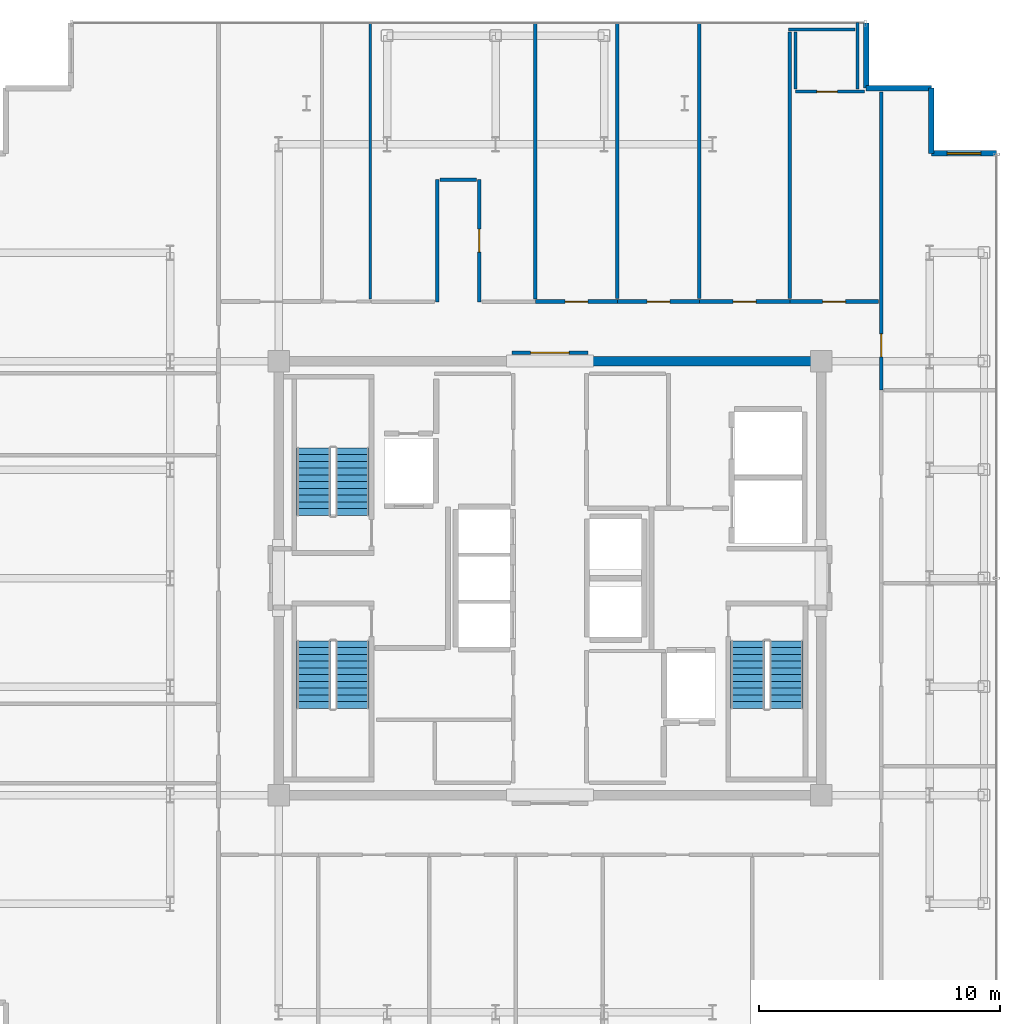
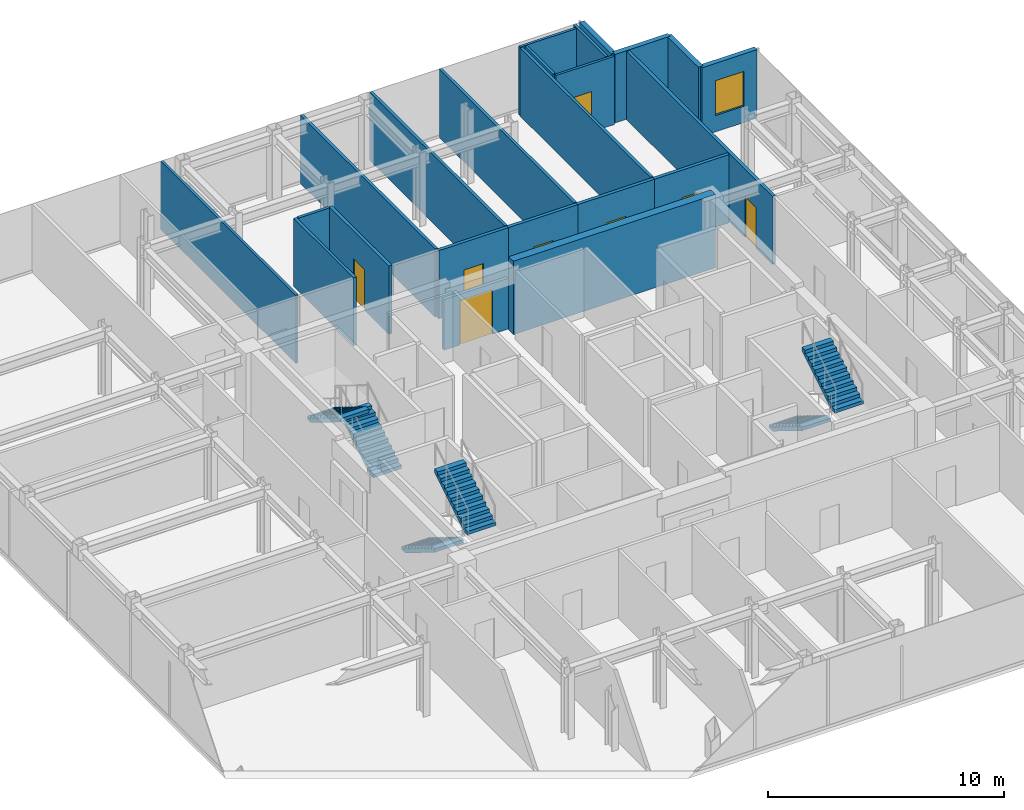
# One storey, part 16 of 17: 23 walls, 8 doors, 6 stair flights, 1 window, 9 openings, 3 elements without a shape of their own.
"""IFC4 building model written with IfcOpenShell, lengths in metres."""

from ifc_helpers import new_model, si_unit, direction, frame, frame_2d, origin, place, context, subcontext, project, spatial, polyline, rectangle, outline, extrude, source, transform, mapped, material, layer, layer_set, type_object, element, fill, aggregate, save


model = new_model("IFC4")

# Units and contexts
model_context = context("Model", 3, precision=1e-05, world=origin(), true_north=direction((0.0, 1.0)))
body_context = subcontext(model_context, "Body", "Model", "MODEL_VIEW")
ifc_project = project(units=[si_unit("LENGTHUNIT", "METRE"), si_unit("AREAUNIT", "SQUARE_METRE"), si_unit("VOLUMEUNIT", "CUBIC_METRE"), si_unit("PLANEANGLEUNIT", "RADIAN"), si_unit("MASSUNIT", "GRAM", prefix="KILO")], contexts=[model_context])

# Site, building, storey
site_placement = place(None, origin())
site = spatial("IfcSite", under=ifc_project, at=site_placement, CompositionType="ELEMENT")
building_placement = place(site_placement, origin())
building = spatial("IfcBuilding", under=site, at=building_placement, Name="Nefas-Gora Pilgrimage Tower", CompositionType="ELEMENT")
storey_placement = place(building_placement, frame((0.0, 0.0, 341.39990234375)))
storey = spatial("IfcBuildingStorey", under=building, at=storey_placement, Name="L86", CompositionType="ELEMENT", Elevation=341.39990234375)

# Wall
ifc_material_1 = material(Name="Concrete C50/60", Category="concrete")
ifc_layer_1 = layer(ifc_material_1, 0.39990234375)
ifc_layer_set_1 = layer_set([ifc_layer_1], Name="Concrete C50/60")
wall_type_1 = type_object("IfcWallType", Name="SW-CORE-400", PredefinedType="SHEAR", material=ifc_layer_set_1)
shared_shape_1 = source(origin(), body_context, "Body", "SweptSolid", [
    extrude(rectangle(XDim=9.89990234375, YDim=0.39990234375, at=frame_2d((4.949951171875, 0.0))), origin(), (0.0, 0.0, 1.0), 3.800048828125),
])
wall_1_placement = place(storey_placement, frame((1.550048828125, 9.0, 0.0), z_axis=(0.0, 0.0, 1.0), x_axis=(1.0, 0.0, 0.0)))
element("IfcWall", 1, at=wall_1_placement, inside=storey, type_object=wall_type_1, Name="L86 Core Shear Wall N-East", PredefinedType="SHEAR", context=body_context, shape_type="MappedRepresentation", body=[
    mapped(shared_shape_1, transform((0.0, 0.0, 0.0), x_axis=(1.0, 0.0, 0.0), y_axis=(0.0, 1.0, 0.0), z_axis=(0.0, 0.0, 1.0), scale=1.0)),
])

# Wall, opening, window
ifc_material_2 = material(Name="Precast concrete C45/55", Category="concrete")
ifc_layer_2 = layer(ifc_material_2, 0.239990234375)
ifc_layer_set_2 = layer_set([ifc_layer_2], Name="Precast concrete C45/55")
wall_type_2 = type_object("IfcWallType", Name="EW-SERR-240", PredefinedType="SHEAR", material=ifc_layer_set_2)
shared_shape_2 = source(origin(), body_context, "Body", "SweptSolid", [
    extrude(rectangle(XDim=2.699951171875, YDim=0.239990234375, at=frame_2d((1.35009765625, 0.0))), origin(), (0.0, 0.0, 1.0), 3.550048828125),
])
wall_2_placement = place(storey_placement, frame((18.52001953125, 17.6201171875, 0.0), z_axis=(0.0, 0.0, 1.0), x_axis=(-1.0, 0.0, 0.0)))
wall_2 = element("IfcWall", 2, at=wall_2_placement, inside=storey, type_object=wall_type_2, Name="L86 Serrated Corner Shear Pier Wall 1", PredefinedType="SHEAR", context=body_context, shape_type="MappedRepresentation", body=[
    mapped(shared_shape_2, transform((0.0, 0.0, 0.0), x_axis=(1.0, 0.0, 0.0), y_axis=(0.0, 1.0, 0.0), z_axis=(0.0, 0.0, 1.0), scale=1.0)),
])
opening_1_placement = place(wall_2_placement, frame((0.64990234375, 0.0, 0.85009765625)))
opening_1 = element("IfcOpeningElement", 3, at=opening_1_placement, cuts=wall_2, Name="Opening W-V2", PredefinedType="OPENING", context=body_context, shape_type="SweptSolid", body=[
    extrude(rectangle(XDim=1.39990234375, YDim=1.800048828125, at=frame_2d((0.699951171875, 0.89990234375))), frame((0.0, 0.1298828125, 0.0), z_axis=(0.0, -1.0, 0.0), x_axis=(1.0, 0.0, 0.0)), (0.0, 0.0, 1.0), 0.260009765625),
])
ifc_material_3 = material(Name="Dark ceramic-fritted operable aluminium-glass window", Category="aluminium")
window_type = type_object("IfcWindowType", Name="WIN-VENT-1400x1800", PartitioningType="SINGLE_PANEL", PredefinedType="WINDOW", material=ifc_material_3)
shared_shape_3 = source(origin(), body_context, "Body", "SweptSolid", [
    extrude(rectangle(XDim=1.39990234375, YDim=1.800048828125, at=frame_2d((0.699951171875, 0.89990234375))), frame((0.0, 0.030029296875, 0.0), z_axis=(0.0, -1.0, 0.0), x_axis=(1.0, 0.0, 0.0)), (0.0, 0.0, 1.0), 0.06005859375),
])
window_placement = place(opening_1_placement, origin())
window = element("IfcWindow", 4, at=window_placement, inside=storey, type_object=window_type, Name="L86 Operable Parallel-Outswing Window 1", OverallHeight=1.800048828125, OverallWidth=1.39990234375, PartitioningType="SINGLE_PANEL", PredefinedType="WINDOW", context=body_context, shape_type="MappedRepresentation", body=[
    mapped(shared_shape_3, transform((0.0, 0.0, 0.0), x_axis=(1.0, 0.0, 0.0), y_axis=(0.0, 1.0, 0.0), z_axis=(0.0, 0.0, 1.0), scale=1.0)),
])
fill(opening_1, window)

# Walls
for number, where, z_axis, x_axis, name in (
    (5, (15.820068359375, 17.6201171875, 0.0), (0.0, 0.0, 1.0), (0.0, 1.0, 0.0), "L86 Serrated Corner Shear Pier Wall 2"),
    (6, (15.820068359375, 20.320068359375, 0.0), (0.0, 0.0, 1.0), (-1.0, 0.0, 0.0), "L86 Serrated Corner Shear Pier Wall 3"),
    (7, (13.1201171875, 20.320068359375, 0.0), (0.0, 0.0, 1.0), (0.0, 1.0, 0.0), "L86 Serrated Corner Shear Pier Wall 4"),
):
    element("IfcWall", number, at=place(storey_placement, frame(where, z_axis=z_axis, x_axis=x_axis)), inside=storey, type_object=wall_type_2, Name=name, PredefinedType="SHEAR", context=body_context, shape_type="MappedRepresentation", body=[
        mapped(shared_shape_2, transform((0.0, 0.0, 0.0), x_axis=(1.0, 0.0, 0.0), y_axis=(0.0, 1.0, 0.0), z_axis=(0.0, 0.0, 1.0), scale=1.0)),
    ])

# Wall, opening, door
ifc_material_4 = material(Name="Gypsum acoustic stud partition")
ifc_layer_3 = layer(ifc_material_4, 0.159912109375)
ifc_layer_set_3 = layer_set([ifc_layer_3], Name="Gypsum acoustic stud partition")
wall_type_3 = type_object("IfcWallType", Name="IW-CORR-160", PredefinedType="PARTITIONING", material=ifc_layer_set_3)
shared_shape_4 = source(origin(), body_context, "Body", "SweptSolid", [
    extrude(rectangle(XDim=3.764892578125, YDim=0.159912109375, at=frame_2d((1.88232421875, 0.0))), origin(), (0.0, 0.0, 1.0), 3.53515625),
])
wall_3_placement = place(storey_placement, frame((6.195068359375, 11.469970703125, 0.0), z_axis=(0.0, 0.0, 1.0), x_axis=(1.0, 0.0, 0.0)))
wall_3 = element("IfcWall", 8, at=wall_3_placement, inside=storey, type_object=wall_type_3, Name="L86 Pilgrim Contemplative Lounge Partition Wall 64", PredefinedType="PARTITIONING", context=body_context, shape_type="MappedRepresentation", body=[
    mapped(shared_shape_4, transform((0.0, 0.0, 0.0), x_axis=(1.0, 0.0, 0.0), y_axis=(0.0, 1.0, 0.0), z_axis=(0.0, 0.0, 1.0), scale=1.0)),
])
opening_2_placement = place(wall_3_placement, frame((1.407470703125, 0.0, 0.0)))
opening_2 = element("IfcOpeningElement", 9, at=opening_2_placement, cuts=wall_3, Name="Opening ID-GR1", PredefinedType="OPENING", context=body_context, shape_type="SweptSolid", body=[
    extrude(rectangle(XDim=0.949951171875, YDim=2.10009765625, at=frame_2d((0.47509765625, 1.050048828125))), frame((0.0, 0.08984375, 0.0), z_axis=(0.0, -1.0, 0.0), x_axis=(1.0, 0.0, 0.0)), (0.0, 0.0, 1.0), 0.179931640625),
])
ifc_material_5 = material(Name="Solid core oak fire-rated guest entrance door")
door_type_1 = type_object("IfcDoorType", Name="DR-INT-GUEST-950", OperationType="NOTDEFINED", PredefinedType="DOOR", material=ifc_material_5)
shared_shape_5 = source(origin(), body_context, "Body", "SweptSolid", [
    extrude(rectangle(XDim=0.949951171875, YDim=2.10009765625, at=frame_2d((0.47509765625, 1.050048828125))), frame((0.0, 0.02490234375, 0.0), z_axis=(0.0, -1.0, 0.0), x_axis=(1.0, 0.0, 0.0)), (0.0, 0.0, 1.0), 0.050048828125),
])
door_1_placement = place(opening_2_placement, origin())
door_1 = element("IfcDoor", 10, at=door_1_placement, inside=storey, type_object=door_type_1, Name="L86 Pilgrim Contemplative Lounge Door 28", OperationType="SINGLE_SWING_RIGHT", OverallHeight=2.10009765625, OverallWidth=0.949951171875, PredefinedType="DOOR", context=body_context, shape_type="MappedRepresentation", body=[
    mapped(shared_shape_5, transform((0.0, 0.0, 0.0), x_axis=(1.0, 0.0, 0.0), y_axis=(0.0, 1.0, 0.0), z_axis=(0.0, 0.0, 1.0), scale=1.0)),
])
fill(opening_2, door_1)

shared_shape_6 = source(origin(), body_context, "Body", "SweptSolid", [
    extrude(rectangle(XDim=3.66015625, YDim=0.159912109375, at=frame_2d((1.830078125, 0.0))), origin(), (0.0, 0.0, 1.0), 3.53515625),
])
wall_4_placement = place(storey_placement, frame((9.9599609375, 11.469970703125, 0.0), z_axis=(0.0, 0.0, 1.0), x_axis=(1.0, 0.0, 0.0)))
wall_4 = element("IfcWall", 11, at=wall_4_placement, inside=storey, type_object=wall_type_3, Name="L86 Pilgrim Sanctuary Suite Partition Wall 66", PredefinedType="PARTITIONING", context=body_context, shape_type="MappedRepresentation", body=[
    mapped(shared_shape_6, transform((0.0, 0.0, 0.0), x_axis=(1.0, 0.0, 0.0), y_axis=(0.0, 1.0, 0.0), z_axis=(0.0, 0.0, 1.0), scale=1.0)),
])
opening_3_placement = place(wall_4_placement, frame((1.35498046875, 0.0, 0.0)))
opening_3 = element("IfcOpeningElement", 12, at=opening_3_placement, cuts=wall_4, Name="Opening ID-GR1", PredefinedType="OPENING", context=body_context, shape_type="SweptSolid", body=[
    extrude(rectangle(XDim=0.949951171875, YDim=2.10009765625, at=frame_2d((0.47509765625, 1.050048828125))), frame((0.0, 0.08984375, 0.0), z_axis=(0.0, -1.0, 0.0), x_axis=(1.0, 0.0, 0.0)), (0.0, 0.0, 1.0), 0.179931640625),
])
door_2_placement = place(opening_3_placement, origin())
door_2 = element("IfcDoor", 13, at=door_2_placement, inside=storey, type_object=door_type_1, Name="L86 Pilgrim Sanctuary Suite Door 29", OperationType="SINGLE_SWING_LEFT", OverallHeight=2.10009765625, OverallWidth=0.949951171875, PredefinedType="DOOR", context=body_context, shape_type="MappedRepresentation", body=[
    mapped(shared_shape_5, transform((0.0, 0.0, 0.0), x_axis=(1.0, 0.0, 0.0), y_axis=(0.0, 1.0, 0.0), z_axis=(0.0, 0.0, 1.0), scale=1.0)),
])
fill(opening_3, door_2)

shared_shape_7 = source(origin(), body_context, "Body", "SweptSolid", [
    extrude(rectangle(XDim=3.16015625, YDim=0.159912109375, at=frame_2d((1.580078125, 0.0))), origin(), (0.0, 0.0, 1.0), 2.625),
])
wall_5_placement = place(storey_placement, frame((-1.580078125, 9.35009765625, 0.0), z_axis=(0.0, 0.0, 1.0), x_axis=(1.0, 0.0, 0.0)))
wall_5 = element("IfcWall", 14, at=wall_5_placement, inside=storey, type_object=wall_type_3, Name="L86 Central Lift Lobby North Portal Wall 16", PredefinedType="PARTITIONING", context=body_context, shape_type="MappedRepresentation", body=[
    mapped(shared_shape_7, transform((0.0, 0.0, 0.0), x_axis=(1.0, 0.0, 0.0), y_axis=(0.0, 1.0, 0.0), z_axis=(0.0, 0.0, 1.0), scale=1.0)),
])
opening_4_placement = place(wall_5_placement, frame((0.780029296875, 0.0, 0.0)))
opening_4 = element("IfcOpeningElement", 15, at=opening_4_placement, cuts=wall_5, Name="Opening ID-HL1", PredefinedType="OPENING", context=body_context, shape_type="SweptSolid", body=[
    extrude(rectangle(XDim=1.60009765625, YDim=2.300048828125, at=frame_2d((0.800048828125, 1.14990234375))), frame((0.0, 0.08984375, 0.0), z_axis=(0.0, -1.0, 0.0), x_axis=(1.0, 0.0, 0.0)), (0.0, 0.0, 1.0), 0.179931640625),
])
ifc_material_6 = material(Name="Double acoustic timber assembly hall door", Category="wood")
door_type_2 = type_object("IfcDoorType", Name="DR-INT-HALL-1600", OperationType="DOUBLE_DOOR_SINGLE_SWING", PredefinedType="DOOR", material=ifc_material_6)
shared_shape_8 = source(origin(), body_context, "Body", "SweptSolid", [
    extrude(rectangle(XDim=1.60009765625, YDim=2.300048828125, at=frame_2d((0.800048828125, 1.14990234375))), frame((0.0, 0.02490234375, 0.0), z_axis=(0.0, -1.0, 0.0), x_axis=(1.0, 0.0, 0.0)), (0.0, 0.0, 1.0), 0.050048828125),
])
door_3_placement = place(opening_4_placement, origin())
door_3 = element("IfcDoor", 16, at=door_3_placement, inside=storey, type_object=door_type_2, Name="L86 Central Lift Lobby North Portal Door 6", OperationType="DOUBLE_DOOR_SINGLE_SWING", OverallHeight=2.300048828125, OverallWidth=1.60009765625, PredefinedType="DOOR", context=body_context, shape_type="MappedRepresentation", body=[
    mapped(shared_shape_8, transform((0.0, 0.0, 0.0), x_axis=(1.0, 0.0, 0.0), y_axis=(0.0, 1.0, 0.0), z_axis=(0.0, 0.0, 1.0), scale=1.0)),
])
fill(opening_4, door_3)

# Walls
ifc_material_7 = material(Name="Gypsum twin-stud partition")
ifc_layer_4 = layer(ifc_material_7, 0.139892578125)
ifc_layer_set_4 = layer_set([ifc_layer_4], Name="Gypsum twin-stud partition")
wall_type_4 = type_object("IfcWallType", Name="IW-UNIT-140", PredefinedType="PARTITIONING", material=ifc_layer_set_4)
shared_shape_9 = source(origin(), body_context, "Body", "SweptSolid", [
    extrude(rectangle(XDim=11.449951171875, YDim=0.139892578125, at=frame_2d((5.72509765625, 0.0))), origin(), (0.0, 0.0, 1.0), 3.53515625),
])
for number, where, z_axis, x_axis, name in (
    (17, (2.79248046875, 11.590087890625, 0.0), (0.0, 0.0, 1.0), (0.0, 1.0, 0.0), "L86 Pilgrim Contemplative Lounge Partition Wall 61"),
    (18, (6.195068359375, 11.590087890625, 0.0), (0.0, 0.0, 1.0), (0.0, 1.0, 0.0), "L86 Pilgrim Contemplative Lounge Partition Wall 63"),
):
    element("IfcWall", number, at=place(storey_placement, frame(where, z_axis=z_axis, x_axis=x_axis)), inside=storey, type_object=wall_type_4, Name=name, PredefinedType="PARTITIONING", context=body_context, shape_type="MappedRepresentation", body=[
        mapped(shared_shape_9, transform((0.0, 0.0, 0.0), x_axis=(1.0, 0.0, 0.0), y_axis=(0.0, 1.0, 0.0), z_axis=(0.0, 0.0, 1.0), scale=1.0)),
    ])
ifc_material_8 = material(Name="Moisture-resistant fire-rated gypsum partition")
ifc_layer_5 = layer(ifc_material_8, 0.1201171875)
ifc_layer_set_5 = layer_set([ifc_layer_5], Name="Moisture-resistant fire-rated gypsum partition")
wall_type_5 = type_object("IfcWallType", Name="IW-WET-120", PredefinedType="PLUMBINGWALL", material=ifc_layer_set_5)
shared_shape_10 = source(origin(), body_context, "Body", "SweptSolid", [
    extrude(rectangle(XDim=2.760009765625, YDim=0.1201171875, at=frame_2d((1.3798828125, 0.0))), origin(), (0.0, 0.0, 1.0), 3.53515625),
])
for number, where, z_axis, x_axis, name in (
    (19, (12.760009765625, 20.280029296875, 0.0), (0.0, 0.0, 1.0), (0.0, 1.0, 0.0), "L86 En-Suite Bathroom Wall 20"),
    (20, (9.89990234375, 22.760009765625, 0.0), (0.0, 0.0, 1.0), (1.0, 0.0, 0.0), "L86 En-Suite Bathroom Wall 21"),
):
    element("IfcWall", number, at=place(storey_placement, frame(where, z_axis=z_axis, x_axis=x_axis)), inside=storey, type_object=wall_type_5, Name=name, PredefinedType="PLUMBINGWALL", context=body_context, shape_type="MappedRepresentation", body=[
        mapped(shared_shape_10, transform((0.0, 0.0, 0.0), x_axis=(1.0, 0.0, 0.0), y_axis=(0.0, 1.0, 0.0), z_axis=(0.0, 0.0, 1.0), scale=1.0)),
    ])
shared_shape_11 = source(origin(), body_context, "Body", "SweptSolid", [
    extrude(rectangle(XDim=2.3798828125, YDim=0.1201171875, at=frame_2d((1.18994140625, 0.0))), origin(), (0.0, 0.0, 1.0), 3.53515625),
])
wall_6_placement = place(storey_placement, frame((10.179931640625, 20.280029296875, 0.0), z_axis=(0.0, 0.0, 1.0), x_axis=(0.0, 1.0, 0.0)))
element("IfcWall", 21, at=wall_6_placement, inside=storey, type_object=wall_type_5, Name="L86 En-Suite Bathroom Wall 22", PredefinedType="PLUMBINGWALL", context=body_context, shape_type="MappedRepresentation", body=[
    mapped(shared_shape_11, transform((0.0, 0.0, 0.0), x_axis=(1.0, 0.0, 0.0), y_axis=(0.0, 1.0, 0.0), z_axis=(0.0, 0.0, 1.0), scale=1.0)),
])

# Wall, opening, door
shared_shape_12 = source(origin(), body_context, "Body", "SweptSolid", [
    extrude(rectangle(XDim=5.080078125, YDim=0.159912109375, at=frame_2d((2.5400390625, 0.0))), origin(), (0.0, 0.0, 1.0), 3.53515625),
])
wall_7_placement = place(storey_placement, frame((-2.929931640625, 11.4599609375, 0.0), z_axis=(0.0, 0.0, 1.0), x_axis=(0.0, 1.0, 0.0)))
wall_7 = element("IfcWall", 22, at=wall_7_placement, inside=storey, type_object=wall_type_3, Name="L86 Pilgrim Contemplative Lounge Partition Wall 54", PredefinedType="PARTITIONING", context=body_context, shape_type="MappedRepresentation", body=[
    mapped(shared_shape_12, transform((0.0, 0.0, 0.0), x_axis=(1.0, 0.0, 0.0), y_axis=(0.0, 1.0, 0.0), z_axis=(0.0, 0.0, 1.0), scale=1.0)),
])
opening_5_placement = place(wall_7_placement, frame((2.06494140625, 0.0, 0.0)))
opening_5 = element("IfcOpeningElement", 23, at=opening_5_placement, cuts=wall_7, Name="Opening ID-GR1", PredefinedType="OPENING", context=body_context, shape_type="SweptSolid", body=[
    extrude(rectangle(XDim=0.949951171875, YDim=2.10009765625, at=frame_2d((0.47509765625, 1.050048828125))), frame((0.0, 0.08984375, 0.0), z_axis=(0.0, -1.0, 0.0), x_axis=(1.0, 0.0, 0.0)), (0.0, 0.0, 1.0), 0.179931640625),
])
door_4_placement = place(opening_5_placement, origin())
door_4 = element("IfcDoor", 24, at=door_4_placement, inside=storey, type_object=door_type_1, Name="L86 Pilgrim Contemplative Lounge Door 25", OperationType="SINGLE_SWING_LEFT", OverallHeight=2.10009765625, OverallWidth=0.949951171875, PredefinedType="DOOR", context=body_context, shape_type="MappedRepresentation", body=[
    mapped(shared_shape_5, transform((0.0, 0.0, 0.0), x_axis=(1.0, 0.0, 0.0), y_axis=(0.0, 1.0, 0.0), z_axis=(0.0, 0.0, 1.0), scale=1.0)),
])
fill(opening_5, door_4)

# Walls
shared_shape_13 = source(origin(), body_context, "Body", "SweptSolid", [
    extrude(rectangle(XDim=5.080078125, YDim=0.139892578125, at=frame_2d((2.5400390625, 0.0))), origin(), (0.0, 0.0, 1.0), 3.53515625),
])
wall_8_placement = place(storey_placement, frame((-4.669921875, 11.4599609375, 0.0), z_axis=(0.0, 0.0, 1.0), x_axis=(0.0, 1.0, 0.0)))
element("IfcWall", 25, at=wall_8_placement, inside=storey, type_object=wall_type_4, Name="L86 Pilgrim Contemplative Lounge Partition Wall 55", PredefinedType="PARTITIONING", context=body_context, shape_type="MappedRepresentation", body=[
    mapped(shared_shape_13, transform((0.0, 0.0, 0.0), x_axis=(1.0, 0.0, 0.0), y_axis=(0.0, 1.0, 0.0), z_axis=(0.0, 0.0, 1.0), scale=1.0)),
])
shared_shape_14 = source(origin(), body_context, "Body", "SweptSolid", [
    extrude(rectangle(XDim=1.510009765625, YDim=0.139892578125, at=frame_2d((0.7548828125, 0.0))), origin(), (0.0, 0.0, 1.0), 3.53515625),
])
wall_9_placement = place(storey_placement, frame((-4.56005859375, 16.52001953125, 0.0), z_axis=(0.0, 0.0, 1.0), x_axis=(1.0, 0.0, 0.0)))
element("IfcWall", 26, at=wall_9_placement, inside=storey, type_object=wall_type_4, Name="L86 Pilgrim Contemplative Lounge Partition Wall 58", PredefinedType="PARTITIONING", context=body_context, shape_type="MappedRepresentation", body=[
    mapped(shared_shape_14, transform((0.0, 0.0, 0.0), x_axis=(1.0, 0.0, 0.0), y_axis=(0.0, 1.0, 0.0), z_axis=(0.0, 0.0, 1.0), scale=1.0)),
])
shared_shape_15 = source(origin(), body_context, "Body", "SweptSolid", [
    extrude(rectangle(XDim=11.06982421875, YDim=0.139892578125, at=frame_2d((5.534912109375, 0.0))), origin(), (0.0, 0.0, 1.0), 3.53515625),
])
wall_10_placement = place(storey_placement, frame((9.949951171875, 11.590087890625, 0.0), z_axis=(0.0, 0.0, 1.0), x_axis=(0.0, 1.0, 0.0)))
element("IfcWall", 27, at=wall_10_placement, inside=storey, type_object=wall_type_4, Name="L86 Pilgrim Contemplative Lounge Partition Wall 65", PredefinedType="PARTITIONING", context=body_context, shape_type="MappedRepresentation", body=[
    mapped(shared_shape_15, transform((0.0, 0.0, 0.0), x_axis=(1.0, 0.0, 0.0), y_axis=(0.0, 1.0, 0.0), z_axis=(0.0, 0.0, 1.0), scale=1.0)),
])

# Wall, opening, door
shared_shape_16 = source(origin(), body_context, "Body", "SweptSolid", [
    extrude(rectangle(XDim=12.364990234375, YDim=0.159912109375, at=frame_2d((6.1826171875, 0.0))), origin(), (0.0, 0.0, 1.0), 3.53515625),
])
wall_11_placement = place(storey_placement, frame((13.739990234375, 7.794921875, 0.0), z_axis=(0.0, 0.0, 1.0), x_axis=(0.0, 1.0, 0.0)))
wall_11 = element("IfcWall", 28, at=wall_11_placement, inside=storey, type_object=wall_type_3, Name="L86 Pilgrim Fellowship Seminar Room Partition Wall 52", PredefinedType="PARTITIONING", context=body_context, shape_type="MappedRepresentation", body=[
    mapped(shared_shape_16, transform((0.0, 0.0, 0.0), x_axis=(1.0, 0.0, 0.0), y_axis=(0.0, 1.0, 0.0), z_axis=(0.0, 0.0, 1.0), scale=1.0)),
])
opening_6_placement = place(wall_11_placement, frame((1.382568359375, 0.0, 0.0)))
opening_6 = element("IfcOpeningElement", 29, at=opening_6_placement, cuts=wall_11, Name="Opening ID-GR1", PredefinedType="OPENING", context=body_context, shape_type="SweptSolid", body=[
    extrude(rectangle(XDim=0.949951171875, YDim=2.10009765625, at=frame_2d((0.47509765625, 1.050048828125))), frame((0.0, 0.08984375, 0.0), z_axis=(0.0, -1.0, 0.0), x_axis=(1.0, 0.0, 0.0)), (0.0, 0.0, 1.0), 0.179931640625),
])
door_5_placement = place(opening_6_placement, origin())
door_5 = element("IfcDoor", 30, at=door_5_placement, inside=storey, type_object=door_type_1, Name="L86 Pilgrim Fellowship Seminar Room Door 23", OperationType="SINGLE_SWING_LEFT", OverallHeight=2.10009765625, OverallWidth=0.949951171875, PredefinedType="DOOR", context=body_context, shape_type="MappedRepresentation", body=[
    mapped(shared_shape_5, transform((0.0, 0.0, 0.0), x_axis=(1.0, 0.0, 0.0), y_axis=(0.0, 1.0, 0.0), z_axis=(0.0, 0.0, 1.0), scale=1.0)),
])
fill(opening_6, door_5)

shared_shape_17 = source(origin(), body_context, "Body", "SweptSolid", [
    extrude(rectangle(XDim=2.860107421875, YDim=0.1201171875, at=frame_2d((1.43017578125, 0.0))), origin(), (0.0, 0.0, 1.0), 3.53515625),
])
wall_12_placement = place(storey_placement, frame((10.179931640625, 20.179931640625, 0.0), z_axis=(0.0, 0.0, 1.0), x_axis=(1.0, 0.0, 0.0)))
wall_12 = element("IfcWall", 31, at=wall_12_placement, inside=storey, type_object=wall_type_5, Name="L86 En-Suite Bathroom Wall 19", PredefinedType="PLUMBINGWALL", context=body_context, shape_type="MappedRepresentation", body=[
    mapped(shared_shape_17, transform((0.0, 0.0, 0.0), x_axis=(1.0, 0.0, 0.0), y_axis=(0.0, 1.0, 0.0), z_axis=(0.0, 0.0, 1.0), scale=1.0)),
])
opening_7_placement = place(wall_12_placement, frame((0.89501953125, 0.0, 0.0)))
opening_7 = element("IfcOpeningElement", 32, at=opening_7_placement, cuts=wall_12, Name="Opening ID-BT1", PredefinedType="OPENING", context=body_context, shape_type="SweptSolid", body=[
    extrude(rectangle(XDim=0.85009765625, YDim=2.10009765625, at=frame_2d((0.425048828125, 1.050048828125))), frame((0.0, 0.070068359375, 0.0), z_axis=(0.0, -1.0, 0.0), x_axis=(1.0, 0.0, 0.0)), (0.0, 0.0, 1.0), 0.14013671875),
])
ifc_material_9 = material(Name="Moisture-resistant fire-rated timber door", Category="wood")
door_type_3 = type_object("IfcDoorType", Name="DR-INT-BATH-850", OperationType="NOTDEFINED", PredefinedType="DOOR", material=ifc_material_9)
shared_shape_18 = source(origin(), body_context, "Body", "SweptSolid", [
    extrude(rectangle(XDim=0.85009765625, YDim=2.10009765625, at=frame_2d((0.425048828125, 1.050048828125))), frame((0.0, 0.02490234375, 0.0), z_axis=(0.0, -1.0, 0.0), x_axis=(1.0, 0.0, 0.0)), (0.0, 0.0, 1.0), 0.050048828125),
])
door_6_placement = place(opening_7_placement, origin())
door_6 = element("IfcDoor", 33, at=door_6_placement, inside=storey, type_object=door_type_3, Name="L86 En-Suite Bathroom Door 8", OperationType="SINGLE_SWING_RIGHT", OverallHeight=2.10009765625, OverallWidth=0.85009765625, PredefinedType="DOOR", context=body_context, shape_type="MappedRepresentation", body=[
    mapped(shared_shape_18, transform((0.0, 0.0, 0.0), x_axis=(1.0, 0.0, 0.0), y_axis=(0.0, 1.0, 0.0), z_axis=(0.0, 0.0, 1.0), scale=1.0)),
])
fill(opening_7, door_6)

# Walls
shared_shape_19 = source(origin(), body_context, "Body", "SweptSolid", [
    extrude(rectangle(XDim=11.469970703125, YDim=0.1201171875, at=frame_2d((5.73486328125, 0.0))), origin(), (0.0, 0.0, 1.0), 3.53515625),
])
wall_13_placement = place(storey_placement, frame((-7.449951171875, 11.570068359375, 0.0), z_axis=(0.0, 0.0, 1.0), x_axis=(0.0, 1.0, 0.0)))
element("IfcWall", 34, at=wall_13_placement, inside=storey, type_object=wall_type_5, Name="L86 Accessible Unisex WC Partition Wall 36", PredefinedType="PLUMBINGWALL", context=body_context, shape_type="MappedRepresentation", body=[
    mapped(shared_shape_19, transform((0.0, 0.0, 0.0), x_axis=(1.0, 0.0, 0.0), y_axis=(0.0, 1.0, 0.0), z_axis=(0.0, 0.0, 1.0), scale=1.0)),
])
shared_shape_20 = source(origin(), body_context, "Body", "SweptSolid", [
    extrude(rectangle(XDim=11.4599609375, YDim=0.139892578125, at=frame_2d((5.72998046875, 0.0))), origin(), (0.0, 0.0, 1.0), 3.53515625),
])
wall_14_placement = place(storey_placement, frame((-0.610107421875, 11.580078125, 0.0), z_axis=(0.0, 0.0, 1.0), x_axis=(0.0, 1.0, 0.0)))
element("IfcWall", 35, at=wall_14_placement, inside=storey, type_object=wall_type_4, Name="L86 Pilgrim Contemplative Lounge Partition Wall 59", PredefinedType="PARTITIONING", context=body_context, shape_type="MappedRepresentation", body=[
    mapped(shared_shape_20, transform((0.0, 0.0, 0.0), x_axis=(1.0, 0.0, 0.0), y_axis=(0.0, 1.0, 0.0), z_axis=(0.0, 0.0, 1.0), scale=1.0)),
])

# Wall, opening, door
shared_shape_21 = source(origin(), body_context, "Body", "SweptSolid", [
    extrude(rectangle(XDim=3.402587890625, YDim=0.159912109375, at=frame_2d((1.701171875, 0.0))), origin(), (0.0, 0.0, 1.0), 3.53515625),
])
wall_15_placement = place(storey_placement, frame((-0.60009765625, 11.469970703125, 0.0), z_axis=(0.0, 0.0, 1.0), x_axis=(1.0, 0.0, 0.0)))
wall_15 = element("IfcWall", 36, at=wall_15_placement, inside=storey, type_object=wall_type_3, Name="L86 Pilgrim Contemplative Lounge Partition Wall 60", PredefinedType="PARTITIONING", context=body_context, shape_type="MappedRepresentation", body=[
    mapped(shared_shape_21, transform((0.0, 0.0, 0.0), x_axis=(1.0, 0.0, 0.0), y_axis=(0.0, 1.0, 0.0), z_axis=(0.0, 0.0, 1.0), scale=1.0)),
])
opening_8_placement = place(wall_15_placement, frame((1.226318359375, 0.0, 0.0)))
opening_8 = element("IfcOpeningElement", 37, at=opening_8_placement, cuts=wall_15, Name="Opening ID-GR1", PredefinedType="OPENING", context=body_context, shape_type="SweptSolid", body=[
    extrude(rectangle(XDim=0.949951171875, YDim=2.10009765625, at=frame_2d((0.47509765625, 1.050048828125))), frame((0.0, 0.08984375, 0.0), z_axis=(0.0, -1.0, 0.0), x_axis=(1.0, 0.0, 0.0)), (0.0, 0.0, 1.0), 0.179931640625),
])
door_7_placement = place(opening_8_placement, origin())
door_7 = element("IfcDoor", 38, at=door_7_placement, inside=storey, type_object=door_type_1, Name="L86 Pilgrim Contemplative Lounge Door 26", OperationType="SINGLE_SWING_RIGHT", OverallHeight=2.10009765625, OverallWidth=0.949951171875, PredefinedType="DOOR", context=body_context, shape_type="MappedRepresentation", body=[
    mapped(shared_shape_5, transform((0.0, 0.0, 0.0), x_axis=(1.0, 0.0, 0.0), y_axis=(0.0, 1.0, 0.0), z_axis=(0.0, 0.0, 1.0), scale=1.0)),
])
fill(opening_8, door_7)

wall_16_placement = place(storey_placement, frame((2.802490234375, 11.469970703125, 0.0), z_axis=(0.0, 0.0, 1.0), x_axis=(1.0, 0.0, 0.0)))
wall_16 = element("IfcWall", 39, at=wall_16_placement, inside=storey, type_object=wall_type_3, Name="L86 Pilgrim Contemplative Lounge Partition Wall 62", PredefinedType="PARTITIONING", context=body_context, shape_type="MappedRepresentation", body=[
    mapped(shared_shape_21, transform((0.0, 0.0, 0.0), x_axis=(1.0, 0.0, 0.0), y_axis=(0.0, 1.0, 0.0), z_axis=(0.0, 0.0, 1.0), scale=1.0)),
])
opening_9_placement = place(wall_16_placement, frame((1.226318359375, 0.0, 0.0)))
opening_9 = element("IfcOpeningElement", 40, at=opening_9_placement, cuts=wall_16, Name="Opening ID-GR1", PredefinedType="OPENING", context=body_context, shape_type="SweptSolid", body=[
    extrude(rectangle(XDim=0.949951171875, YDim=2.10009765625, at=frame_2d((0.47509765625, 1.050048828125))), frame((0.0, 0.08984375, 0.0), z_axis=(0.0, -1.0, 0.0), x_axis=(1.0, 0.0, 0.0)), (0.0, 0.0, 1.0), 0.179931640625),
])
door_8_placement = place(opening_9_placement, origin())
door_8 = element("IfcDoor", 41, at=door_8_placement, inside=storey, type_object=door_type_1, Name="L86 Pilgrim Contemplative Lounge Door 27", OperationType="SINGLE_SWING_LEFT", OverallHeight=2.10009765625, OverallWidth=0.949951171875, PredefinedType="DOOR", context=body_context, shape_type="MappedRepresentation", body=[
    mapped(shared_shape_5, transform((0.0, 0.0, 0.0), x_axis=(1.0, 0.0, 0.0), y_axis=(0.0, 1.0, 0.0), z_axis=(0.0, 0.0, 1.0), scale=1.0)),
])
fill(opening_9, door_8)

# Stair, stair flights
ifc_material_10 = material(Name="Concrete C45/55", Category="concrete")
stair_type = type_object("IfcStairType", Name="STR-1400-R1727", PredefinedType="HALF_TURN_STAIR", material=ifc_material_10)
stair_1_placement = place(storey_placement, origin())
stair_1 = element("IfcStair", 42, at=stair_1_placement, inside=storey, type_object=stair_type, Name="L86 Pressurised Tower Exit Stair ST-01", PredefinedType="HALF_TURN_STAIR")
stair_flight_type = type_object("IfcStairFlightType", Name="STF-1400-R1727", PredefinedType="STRAIGHT", material=ifc_material_10)
shared_shape_22 = source(origin(), body_context, "Body", "SweptSolid", [
    extrude(outline(polyline([(0.0, 0.0), (0.0, 0.172607421875), (0.280029296875, 0.172607421875), (0.280029296875, 0.345458984375), (0.56005859375, 0.345458984375), (0.56005859375, 0.51806640625), (0.840087890625, 0.51806640625), (0.840087890625, 0.69091796875), (1.1201171875, 0.69091796875), (1.1201171875, 0.863525390625), (1.39990234375, 0.863525390625), (1.39990234375, 1.036376953125), (1.679931640625, 1.036376953125), (1.679931640625, 1.208984375), (1.9599609375, 1.208984375), (1.9599609375, 1.3818359375), (2.239990234375, 1.3818359375), (2.239990234375, 1.554443359375), (2.52001953125, 1.554443359375), (2.52001953125, 1.727294921875), (2.800048828125, 1.727294921875), (2.800048828125, 1.89990234375), (2.800048828125, 1.551025390625), (0.285400390625, 0.0), (0.0, 0.0)])), frame((0.0, 0.699951171875, 0.0), z_axis=(0.0, -1.0, 0.0), x_axis=(1.0, 0.0, 0.0)), (0.0, 0.0, 1.0), 1.39990234375),
])
stair_flight_1_placement = place(storey_placement, frame((-8.199951171875, 2.60009765625, 0.0), z_axis=(0.0, 0.0, 1.0), x_axis=(0.0, 1.0, 0.0)))
stair_flight_1 = element("IfcStairFlight", 43, at=stair_flight_1_placement, type_object=stair_flight_type, Name="ST-01 flight 1", NumberOfRisers=11, NumberOfTreads=10, PredefinedType="STRAIGHT", RiserHeight=0.172727273, TreadLength=0.28, context=body_context, shape_type="MappedRepresentation", body=[
    mapped(shared_shape_22, transform((0.0, 0.0, 0.0), x_axis=(1.0, 0.0, 0.0), y_axis=(0.0, 1.0, 0.0), z_axis=(0.0, 0.0, 1.0), scale=1.0)),
])
stair_flight_2_placement = place(storey_placement, frame((-9.800048828125, 5.39990234375, 1.900146484375), z_axis=(0.0, 0.0, 1.0), x_axis=(0.0, -1.0, 0.0)))
stair_flight_2 = element("IfcStairFlight", 44, at=stair_flight_2_placement, type_object=stair_flight_type, Name="ST-01 flight 2", NumberOfRisers=11, NumberOfTreads=10, PredefinedType="STRAIGHT", RiserHeight=0.172727273, TreadLength=0.28, context=body_context, shape_type="MappedRepresentation", body=[
    mapped(shared_shape_22, transform((0.0, 0.0, 0.0), x_axis=(1.0, 0.0, 0.0), y_axis=(0.0, 1.0, 0.0), z_axis=(0.0, 0.0, 1.0), scale=1.0)),
])
aggregate(stair_1, [stair_flight_1, stair_flight_2])

stair_2_placement = place(storey_placement, origin())
stair_2 = element("IfcStair", 45, at=stair_2_placement, inside=storey, type_object=stair_type, Name="L86 Pressurised Tower Exit Stair ST-02", PredefinedType="HALF_TURN_STAIR")
stair_flight_3_placement = place(storey_placement, frame((8.199951171875, -2.60009765625, 0.0), z_axis=(0.0, 0.0, 1.0), x_axis=(0.0, -1.0, 0.0)))
stair_flight_3 = element("IfcStairFlight", 46, at=stair_flight_3_placement, type_object=stair_flight_type, Name="ST-02 flight 1", NumberOfRisers=11, NumberOfTreads=10, PredefinedType="STRAIGHT", RiserHeight=0.172727273, TreadLength=0.28, context=body_context, shape_type="MappedRepresentation", body=[
    mapped(shared_shape_22, transform((0.0, 0.0, 0.0), x_axis=(1.0, 0.0, 0.0), y_axis=(0.0, 1.0, 0.0), z_axis=(0.0, 0.0, 1.0), scale=1.0)),
])
stair_flight_4_placement = place(storey_placement, frame((9.800048828125, -5.39990234375, 1.900146484375), z_axis=(0.0, 0.0, 1.0), x_axis=(0.0, 1.0, 0.0)))
stair_flight_4 = element("IfcStairFlight", 47, at=stair_flight_4_placement, type_object=stair_flight_type, Name="ST-02 flight 2", NumberOfRisers=11, NumberOfTreads=10, PredefinedType="STRAIGHT", RiserHeight=0.172727273, TreadLength=0.28, context=body_context, shape_type="MappedRepresentation", body=[
    mapped(shared_shape_22, transform((0.0, 0.0, 0.0), x_axis=(1.0, 0.0, 0.0), y_axis=(0.0, 1.0, 0.0), z_axis=(0.0, 0.0, 1.0), scale=1.0)),
])
aggregate(stair_2, [stair_flight_3, stair_flight_4])

stair_3_placement = place(storey_placement, origin())
stair_3 = element("IfcStair", 48, at=stair_3_placement, inside=storey, type_object=stair_type, Name="L86 Pressurised Tower Exit Stair ST-03", PredefinedType="HALF_TURN_STAIR")
stair_flight_5_placement = place(storey_placement, frame((-9.800048828125, -2.60009765625, 0.0), z_axis=(0.0, 0.0, 1.0), x_axis=(0.0, -1.0, 0.0)))
stair_flight_5 = element("IfcStairFlight", 49, at=stair_flight_5_placement, type_object=stair_flight_type, Name="ST-03 flight 1", NumberOfRisers=11, NumberOfTreads=10, PredefinedType="STRAIGHT", RiserHeight=0.172727273, TreadLength=0.28, context=body_context, shape_type="MappedRepresentation", body=[
    mapped(shared_shape_22, transform((0.0, 0.0, 0.0), x_axis=(1.0, 0.0, 0.0), y_axis=(0.0, 1.0, 0.0), z_axis=(0.0, 0.0, 1.0), scale=1.0)),
])
stair_flight_6_placement = place(storey_placement, frame((-8.199951171875, -5.39990234375, 1.900146484375), z_axis=(0.0, 0.0, 1.0), x_axis=(0.0, 1.0, 0.0)))
stair_flight_6 = element("IfcStairFlight", 50, at=stair_flight_6_placement, type_object=stair_flight_type, Name="ST-03 flight 2", NumberOfRisers=11, NumberOfTreads=10, PredefinedType="STRAIGHT", RiserHeight=0.172727273, TreadLength=0.28, context=body_context, shape_type="MappedRepresentation", body=[
    mapped(shared_shape_22, transform((0.0, 0.0, 0.0), x_axis=(1.0, 0.0, 0.0), y_axis=(0.0, 1.0, 0.0), z_axis=(0.0, 0.0, 1.0), scale=1.0)),
])
aggregate(stair_3, [stair_flight_5, stair_flight_6])

save(model, "model.ifc")
